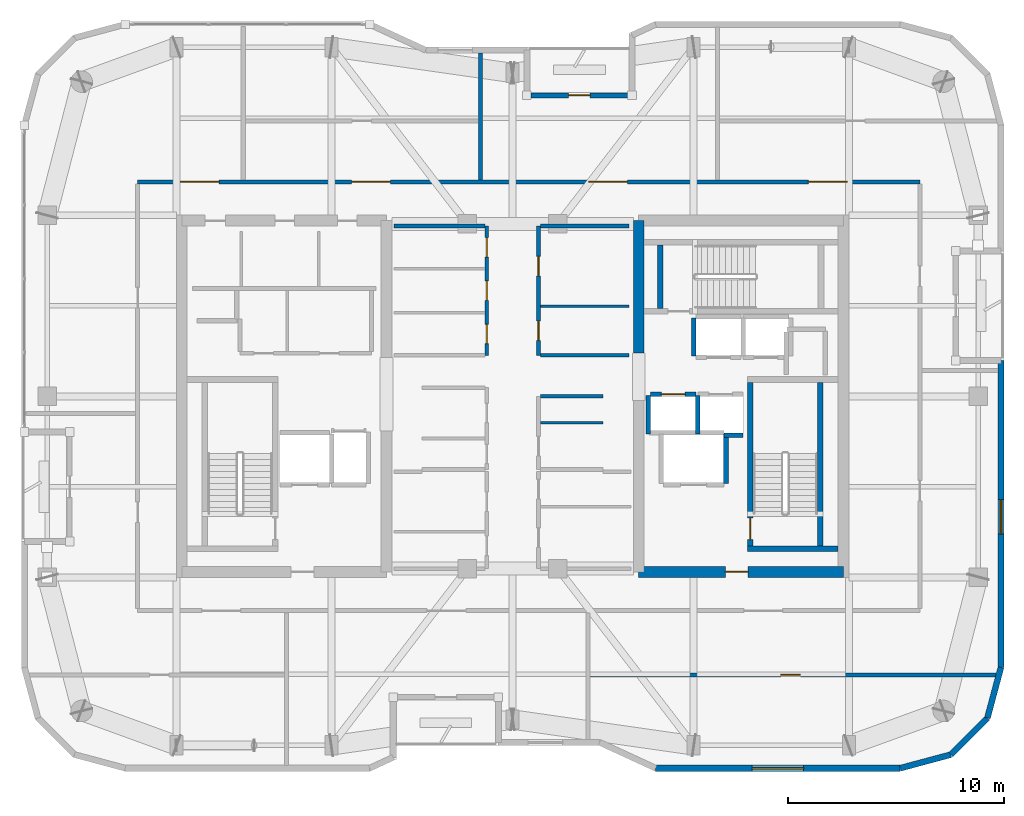
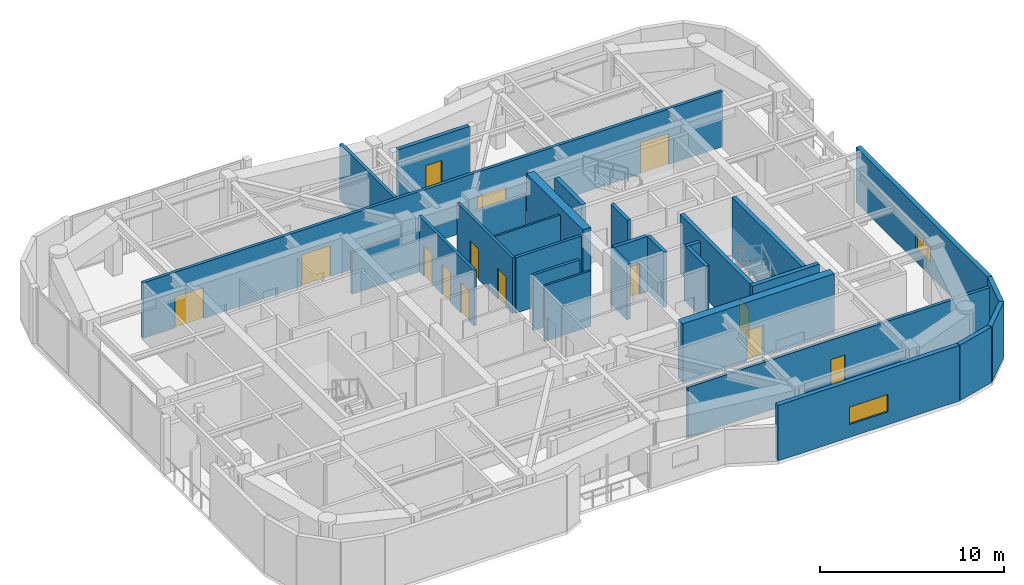
# One storey, part 12 of 16: 29 walls, 14 doors, 2 windows, 16 openings.
"""IFC4 building model written with IfcOpenShell, lengths in metres."""

from ifc_helpers import new_model, si_unit, direction, frame, frame_2d, origin, place, context, subcontext, project, spatial, rectangle, extrude, material, layer, layer_set, type_object, element, fill, save


model = new_model("IFC4")

# Units and contexts
model_context = context("Model", 3, precision=1e-05, world=origin(), true_north=direction((0.0, 1.0)))
body_context = subcontext(model_context, "Body", "Model", "MODEL_VIEW")
ifc_project = project(units=[si_unit("LENGTHUNIT", "METRE"), si_unit("AREAUNIT", "SQUARE_METRE"), si_unit("VOLUMEUNIT", "CUBIC_METRE"), si_unit("PLANEANGLEUNIT", "RADIAN"), si_unit("MASSUNIT", "GRAM", prefix="KILO")], contexts=[model_context])

# Site, building, storey
site_placement = place(None, origin())
site = spatial("IfcSite", under=ifc_project, at=site_placement, CompositionType="ELEMENT")
building_placement = place(site_placement, origin())
building = spatial("IfcBuilding", under=site, at=building_placement, Name="Kiyonajd Concourse Tower", CompositionType="ELEMENT")
storey_placement = place(building_placement, frame((0.0, 0.0, 333.60009765625)))
storey = spatial("IfcBuildingStorey", under=building, at=storey_placement, Name="L84", CompositionType="ELEMENT", Elevation=333.60009765625)

# Wall
ifc_material_1 = material(Name="Concrete C60/75", Category="concrete")
ifc_layer_1 = layer(ifc_material_1, 0.5)
ifc_layer_set_1 = layer_set([ifc_layer_1], Name="Concrete C60/75")
wall_type_1 = type_object("IfcWallType", Name="WL-CORE-500", PredefinedType="SHEAR", material=ifc_layer_set_1)
wall_1_placement = place(storey_placement, frame((53.85009765625, 38.0, 0.0), z_axis=(0.0, 0.0, 1.0), x_axis=(0.0, 1.0, 0.0)))
element("IfcWall", 1, at=wall_1_placement, inside=storey, type_object=wall_type_1, Name="L84 East Core Inner North Shear Wall", PredefinedType="SHEAR", context=body_context, shape_type="SweptSolid", body=[
    extrude(rectangle(XDim=6.14990234375, YDim=0.5, at=frame_2d((3.074951171875, 0.0))), origin(), (0.0, 0.0, 1.0), 3.89990234375),
])

# Wall, opening, door
wall_2_placement = place(storey_placement, frame((53.85009765625, 27.85009765625, 0.0), z_axis=(0.0, 0.0, 1.0), x_axis=(1.0, 0.0, 0.0)))
wall_2 = element("IfcWall", 2, at=wall_2_placement, inside=storey, type_object=wall_type_1, Name="L84 East Core South Shear Wall", PredefinedType="SHEAR", context=body_context, shape_type="SweptSolid", body=[
    extrude(rectangle(XDim=9.5, YDim=0.5, at=frame_2d((4.75, 0.0))), origin(), (0.0, 0.0, 1.0), 3.89990234375),
])
opening_1_placement = place(wall_2_placement, frame((4.02490234375, 0.0, 0.0)))
opening_1 = element("IfcOpeningElement", 3, at=opening_1_placement, cuts=wall_2, Name="Opening DF5", PredefinedType="OPENING", context=body_context, shape_type="SweptSolid", body=[
    extrude(rectangle(XDim=1.050048828125, YDim=2.0400390625, at=frame_2d((0.52490234375, 1.02001953125))), frame((0.0, 0.260009765625, 0.0), z_axis=(0.0, -1.0, 0.0), x_axis=(1.0, 0.0, 0.0)), (0.0, 0.0, 1.0), 0.52001953125),
])
ifc_material_2 = material(Name="Brushed Stainless Steel Cab Assembly", Category="steel")
door_type_1 = type_object("IfcDoorType", Name="DR-FD45-1050", OperationType="NOTDEFINED", PredefinedType="DOOR", material=ifc_material_2)
door_1_placement = place(opening_1_placement, origin())
door_1 = element("IfcDoor", 4, at=door_1_placement, inside=storey, type_object=door_type_1, Name="L84 Firefighting Lift Lobby E Smoke Door", OperationType="SINGLE_SWING_RIGHT", OverallHeight=2.0400390625, OverallWidth=1.050048828125, PredefinedType="DOOR", context=body_context, shape_type="SweptSolid", body=[
    extrude(rectangle(XDim=1.050048828125, YDim=2.0400390625, at=frame_2d((0.52490234375, 1.02001953125))), frame((0.0, 0.02490234375, 0.0), z_axis=(0.0, -1.0, 0.0), x_axis=(1.0, 0.0, 0.0)), (0.0, 0.0, 1.0), 0.050048828125),
])
fill(opening_1, door_1)

# Wall, opening, window
ifc_material_3 = material(Name="Precast concrete C50/60", Category="concrete")
ifc_layer_2 = layer(ifc_material_3, 0.280029296875)
ifc_layer_set_2 = layer_set([ifc_layer_2], Name="Precast concrete C50/60")
wall_type_2 = type_object("IfcWallType", Name="WL-EXT-280", PredefinedType="SOLIDWALL", material=ifc_layer_set_2)
wall_3_placement = place(storey_placement, frame((70.659912109375, 37.659912109375, 0.0), z_axis=(0.0, 0.0, 1.0), x_axis=(0.0, -1.0, 0.0)))
wall_3 = element("IfcWall", 5, at=wall_3_placement, inside=storey, type_object=wall_type_2, Name="L84 Exterior Concrete Frame Wall 24", PredefinedType="SOLIDWALL", context=body_context, shape_type="SweptSolid", body=[
    extrude(rectangle(XDim=14.241455078125, YDim=0.280029296875, at=frame_2d((7.12060546875, 0.0))), origin(), (0.0, 0.0, 1.0), 3.679931640625),
])
opening_2_placement = place(wall_3_placement, frame((6.4560546875, 0.0, 0.85009765625)))
opening_2 = element("IfcOpeningElement", 6, at=opening_2_placement, cuts=wall_3, Name="Opening WN6", PredefinedType="OPENING", context=body_context, shape_type="SweptSolid", body=[
    extrude(rectangle(XDim=1.60009765625, YDim=1.0, at=frame_2d((0.800048828125, 0.5))), frame((0.0, 0.14990234375, 0.0), z_axis=(0.0, -1.0, 0.0), x_axis=(1.0, 0.0, 0.0)), (0.0, 0.0, 1.0), 0.300048828125),
])
ifc_material_4 = material(Name="Double Low-E Insulated Glass", Category="glass")
window_type_1 = type_object("IfcWindowType", Name="WN-VIS-1600x1000", PartitioningType="SINGLE_PANEL", PredefinedType="WINDOW", material=ifc_material_4)
window_1_placement = place(opening_2_placement, origin())
window_1 = element("IfcWindow", 7, at=window_1_placement, inside=storey, type_object=window_type_1, Name="L84 Modular Facade Vision Window 24", OverallHeight=1.0, OverallWidth=1.60009765625, PartitioningType="SINGLE_PANEL", PredefinedType="WINDOW", context=body_context, shape_type="SweptSolid", body=[
    extrude(rectangle(XDim=1.60009765625, YDim=1.0, at=frame_2d((0.800048828125, 0.5))), frame((0.0, 0.030029296875, 0.0), z_axis=(0.0, -1.0, 0.0), x_axis=(1.0, 0.0, 0.0)), (0.0, 0.0, 1.0), 0.06005859375),
])
fill(opening_2, window_1)

# Walls
wall_4_placement = place(storey_placement, frame((70.659912109375, 23.41845703125, 0.0), z_axis=(0.0, 0.0, 1.0), x_axis=(-0.258751159445, -0.965944013639, 0.0)))
element("IfcWall", 8, at=wall_4_placement, inside=storey, type_object=wall_type_2, Name="L84 Exterior Concrete Frame Wall 25", PredefinedType="SOLIDWALL", context=body_context, shape_type="SweptSolid", body=[
    extrude(rectangle(XDim=2.4287109375, YDim=0.280029296875, at=frame_2d((1.21435546875, 0.0))), origin(), (0.0, 0.0, 1.0), 3.679931640625),
])
wall_5_placement = place(storey_placement, frame((70.031494140625, 21.072509765625, 0.0), z_axis=(0.0, 0.0, 1.0), x_axis=(-0.707106781187, -0.707106781187, 0.0)))
element("IfcWall", 9, at=wall_5_placement, inside=storey, type_object=wall_type_2, Name="L84 Exterior Concrete Frame Wall 26", PredefinedType="SOLIDWALL", context=body_context, shape_type="SweptSolid", body=[
    extrude(rectangle(XDim=2.409912109375, YDim=0.280029296875, at=frame_2d((1.205078125, 0.0))), origin(), (0.0, 0.0, 1.0), 3.679931640625),
])
wall_6_placement = place(storey_placement, frame((68.327392578125, 19.368408203125, 0.0), z_axis=(0.0, 0.0, 1.0), x_axis=(-0.965937282298, -0.25877628691, 0.0)))
element("IfcWall", 10, at=wall_6_placement, inside=storey, type_object=wall_type_2, Name="L84 Exterior Concrete Frame Wall 27", PredefinedType="SOLIDWALL", context=body_context, shape_type="SweptSolid", body=[
    extrude(rectangle(XDim=2.428466796875, YDim=0.280029296875, at=frame_2d((1.21435546875, 0.0))), origin(), (0.0, 0.0, 1.0), 3.679931640625),
])

# Wall, opening, window
wall_7_placement = place(storey_placement, frame((65.981689453125, 18.739990234375, 0.0), z_axis=(0.0, 0.0, 1.0), x_axis=(-1.0, 0.0, 0.0)))
wall_7 = element("IfcWall", 11, at=wall_7_placement, inside=storey, type_object=wall_type_2, Name="L84 Exterior Concrete Frame Wall 28", PredefinedType="SOLIDWALL", context=body_context, shape_type="SweptSolid", body=[
    extrude(rectangle(XDim=11.35107421875, YDim=0.280029296875, at=frame_2d((5.675537109375, 0.0))), origin(), (0.0, 0.0, 1.0), 3.679931640625),
])
opening_3_placement = place(wall_7_placement, frame((4.47509765625, 0.0, 0.85009765625)))
opening_3 = element("IfcOpeningElement", 12, at=opening_3_placement, cuts=wall_7, Name="Opening WN4", PredefinedType="OPENING", context=body_context, shape_type="SweptSolid", body=[
    extrude(rectangle(XDim=2.39990234375, YDim=1.14990234375, at=frame_2d((1.199951171875, 0.574951171875))), frame((0.0, 0.14990234375, 0.0), z_axis=(0.0, -1.0, 0.0), x_axis=(1.0, 0.0, 0.0)), (0.0, 0.0, 1.0), 0.300048828125),
])
window_type_2 = type_object("IfcWindowType", Name="WN-VIS-2400x1150", PartitioningType="SINGLE_PANEL", PredefinedType="WINDOW", material=ifc_material_4)
window_2_placement = place(opening_3_placement, origin())
window_2 = element("IfcWindow", 13, at=window_2_placement, inside=storey, type_object=window_type_2, Name="L84 Modular Facade Vision Window 28", OverallHeight=1.14990234375, OverallWidth=2.39990234375, PartitioningType="SINGLE_PANEL", PredefinedType="WINDOW", context=body_context, shape_type="SweptSolid", body=[
    extrude(rectangle(XDim=2.39990234375, YDim=1.14990234375, at=frame_2d((1.199951171875, 0.574951171875))), frame((0.0, 0.030029296875, 0.0), z_axis=(0.0, -1.0, 0.0), x_axis=(1.0, 0.0, 0.0)), (0.0, 0.0, 1.0), 0.06005859375),
])
fill(opening_3, window_2)

# Wall, opening, door
ifc_layer_3 = layer(ifc_material_3, 0.239990234375)
ifc_layer_set_3 = layer_set([ifc_layer_3], Name="Precast concrete C50/60")
wall_type_3 = type_object("IfcWallType", Name="WL-LOG-240", PredefinedType="SOLIDWALL", material=ifc_layer_set_3)
wall_8_placement = place(storey_placement, frame((48.85498046875, 49.9599609375, 0.0), z_axis=(0.0, 0.0, 1.0), x_axis=(1.0, 0.0, 0.0)))
wall_8 = element("IfcWall", 14, at=wall_8_placement, inside=storey, type_object=wall_type_3, Name="L84 Recessed Loggia Thermal Wall LOG-N", PredefinedType="SOLIDWALL", context=body_context, shape_type="SweptSolid", body=[
    extrude(rectangle(XDim=4.489990234375, YDim=0.239990234375, at=frame_2d((2.2451171875, 0.0))), origin(), (0.0, 0.0, 1.0), 3.679931640625),
])
opening_4_placement = place(wall_8_placement, frame((1.7451171875, 0.0, 0.0)))
opening_4 = element("IfcOpeningElement", 15, at=opening_4_placement, cuts=wall_8, Name="Opening DL1", PredefinedType="OPENING", context=body_context, shape_type="SweptSolid", body=[
    extrude(rectangle(XDim=1.0, YDim=2.02001953125, at=frame_2d((0.5, 1.010009765625))), frame((0.0, 0.1298828125, 0.0), z_axis=(0.0, -1.0, 0.0), x_axis=(1.0, 0.0, 0.0)), (0.0, 0.0, 1.0), 0.260009765625),
])
ifc_material_5 = material(Name="Thermally Broken Anodised Aluminium", Category="aluminium")
door_type_2 = type_object("IfcDoorType", Name="DR-LOG-1000", OperationType="NOTDEFINED", PredefinedType="DOOR", material=ifc_material_5)
door_2_placement = place(opening_4_placement, origin())
door_2 = element("IfcDoor", 16, at=door_2_placement, inside=storey, type_object=door_type_2, Name="L84 Engawa Loggia Access Door LOG-N", OperationType="SINGLE_SWING_RIGHT", OverallHeight=2.02001953125, OverallWidth=1.0, PredefinedType="DOOR", context=body_context, shape_type="SweptSolid", body=[
    extrude(rectangle(XDim=1.0, YDim=2.02001953125, at=frame_2d((0.5, 1.010009765625))), frame((0.0, 0.02490234375, 0.0), z_axis=(0.0, -1.0, 0.0), x_axis=(1.0, 0.0, 0.0)), (0.0, 0.0, 1.0), 0.050048828125),
])
fill(opening_4, door_2)

# Walls
ifc_material_6 = material(Name="Gypsum Board on Cold-Formed Steel Stud", Category="steel")
ifc_layer_4 = layer(ifc_material_6, 0.125)
ifc_layer_set_4 = layer_set([ifc_layer_4], Name="Gypsum Board on Cold-Formed Steel Stud")
wall_type_4 = type_object("IfcWallType", Name="WL-PART-125", PredefinedType="PARTITIONING", material=ifc_layer_set_4)
wall_9_placement = place(storey_placement, frame((49.287109375, 34.77587890625, 0.0), z_axis=(0.0, 0.0, 1.0), x_axis=(1.0, 0.0, 0.0)))
element("IfcWall", 17, at=wall_9_placement, inside=storey, type_object=wall_type_4, Name="L84 Interior Partition Wall", PredefinedType="PARTITIONING", context=body_context, shape_type="SweptSolid", body=[
    extrude(rectangle(XDim=2.912841796875, YDim=0.125, at=frame_2d((1.45654296875, 0.0))), origin(), (0.0, 0.0, 1.0), 3.679931640625),
])
wall_10_placement = place(storey_placement, frame((49.287109375, 40.179931640625, 0.0), z_axis=(0.0, 0.0, 1.0), x_axis=(1.0, 0.0, 0.0)))
element("IfcWall", 18, at=wall_10_placement, inside=storey, type_object=wall_type_4, Name="L84 Interior Partition Wall", PredefinedType="PARTITIONING", context=body_context, shape_type="SweptSolid", body=[
    extrude(rectangle(XDim=4.11279296875, YDim=0.125, at=frame_2d((2.056396484375, 0.0))), origin(), (0.0, 0.0, 1.0), 3.679931640625),
])

# Wall, openings, doors
ifc_layer_5 = layer(ifc_material_6, 0.18994140625)
ifc_layer_set_5 = layer_set([ifc_layer_5], Name="Gypsum Board on Cold-Formed Steel Stud")
wall_type_5 = type_object("IfcWallType", Name="WL-PLMB-190", PredefinedType="PLUMBINGWALL", material=ifc_layer_set_5)
wall_11_placement = place(storey_placement, frame((30.60009765625, 45.949951171875, 0.0), z_axis=(0.0, 0.0, 1.0), x_axis=(1.0, 0.0, 0.0)))
wall_11 = element("IfcWall", 19, at=wall_11_placement, inside=storey, type_object=wall_type_5, Name="L84 Interior Partition Wall", PredefinedType="PLUMBINGWALL", context=body_context, shape_type="SweptSolid", body=[
    extrude(rectangle(XDim=36.2998046875, YDim=0.18994140625, at=frame_2d((18.14990234375, 0.0))), origin(), (0.0, 0.0, 1.0), 3.679931640625),
])
opening_5_placement = place(wall_11_placement, frame((1.97509765625, 0.0, 0.0)))
opening_5 = element("IfcOpeningElement", 20, at=opening_5_placement, cuts=wall_11, Name="Opening DI3", PredefinedType="OPENING", context=body_context, shape_type="SweptSolid", body=[
    extrude(rectangle(XDim=1.800048828125, YDim=2.06005859375, at=frame_2d((0.89990234375, 1.030029296875))), frame((0.0, 0.10498046875, 0.0), z_axis=(0.0, -1.0, 0.0), x_axis=(1.0, 0.0, 0.0)), (0.0, 0.0, 1.0), 0.2099609375),
])
opening_6_placement = place(wall_11_placement, frame((9.925048828125, 0.0, 0.0)))
opening_6 = element("IfcOpeningElement", 21, at=opening_6_placement, cuts=wall_11, Name="Opening DI3", PredefinedType="OPENING", context=body_context, shape_type="SweptSolid", body=[
    extrude(rectangle(XDim=1.800048828125, YDim=2.06005859375, at=frame_2d((0.89990234375, 1.030029296875))), frame((0.0, 0.10498046875, 0.0), z_axis=(0.0, -1.0, 0.0), x_axis=(1.0, 0.0, 0.0)), (0.0, 0.0, 1.0), 0.2099609375),
])
opening_7_placement = place(wall_11_placement, frame((20.925048828125, 0.0, 0.0)))
opening_7 = element("IfcOpeningElement", 22, at=opening_7_placement, cuts=wall_11, Name="Opening DI3", PredefinedType="OPENING", context=body_context, shape_type="SweptSolid", body=[
    extrude(rectangle(XDim=1.800048828125, YDim=2.06005859375, at=frame_2d((0.89990234375, 1.030029296875))), frame((0.0, 0.10498046875, 0.0), z_axis=(0.0, -1.0, 0.0), x_axis=(1.0, 0.0, 0.0)), (0.0, 0.0, 1.0), 0.2099609375),
])
opening_8_placement = place(wall_11_placement, frame((31.125, 0.0, 0.0)))
opening_8 = element("IfcOpeningElement", 23, at=opening_8_placement, cuts=wall_11, Name="Opening DI3", PredefinedType="OPENING", context=body_context, shape_type="SweptSolid", body=[
    extrude(rectangle(XDim=1.800048828125, YDim=2.06005859375, at=frame_2d((0.89990234375, 1.030029296875))), frame((0.0, 0.10498046875, 0.0), z_axis=(0.0, -1.0, 0.0), x_axis=(1.0, 0.0, 0.0)), (0.0, 0.0, 1.0), 0.2099609375),
])
door_type_3 = type_object("IfcDoorType", Name="DR-PAIR-1800", OperationType="DOUBLE_DOOR_SINGLE_SWING", PredefinedType="DOOR", material=ifc_material_2)
door_3_placement = place(opening_5_placement, origin())
door_3 = element("IfcDoor", 24, at=door_3_placement, inside=storey, type_object=door_type_3, Name="L84 Interior Door", OperationType="DOUBLE_DOOR_SINGLE_SWING", OverallHeight=2.06005859375, OverallWidth=1.800048828125, PredefinedType="DOOR", context=body_context, shape_type="SweptSolid", body=[
    extrude(rectangle(XDim=1.800048828125, YDim=2.06005859375, at=frame_2d((0.89990234375, 1.030029296875))), frame((0.0, 0.02490234375, 0.0), z_axis=(0.0, -1.0, 0.0), x_axis=(1.0, 0.0, 0.0)), (0.0, 0.0, 1.0), 0.050048828125),
])
fill(opening_5, door_3)
door_4_placement = place(opening_6_placement, origin())
door_4 = element("IfcDoor", 25, at=door_4_placement, inside=storey, type_object=door_type_3, Name="L84 Interior Door", OperationType="DOUBLE_DOOR_SINGLE_SWING", OverallHeight=2.06005859375, OverallWidth=1.800048828125, PredefinedType="DOOR", context=body_context, shape_type="SweptSolid", body=[
    extrude(rectangle(XDim=1.800048828125, YDim=2.06005859375, at=frame_2d((0.89990234375, 1.030029296875))), frame((0.0, 0.02490234375, 0.0), z_axis=(0.0, -1.0, 0.0), x_axis=(1.0, 0.0, 0.0)), (0.0, 0.0, 1.0), 0.050048828125),
])
fill(opening_6, door_4)
door_5_placement = place(opening_7_placement, origin())
door_5 = element("IfcDoor", 26, at=door_5_placement, inside=storey, type_object=door_type_3, Name="L84 Interior Door", OperationType="DOUBLE_DOOR_SINGLE_SWING", OverallHeight=2.06005859375, OverallWidth=1.800048828125, PredefinedType="DOOR", context=body_context, shape_type="SweptSolid", body=[
    extrude(rectangle(XDim=1.800048828125, YDim=2.06005859375, at=frame_2d((0.89990234375, 1.030029296875))), frame((0.0, 0.02490234375, 0.0), z_axis=(0.0, -1.0, 0.0), x_axis=(1.0, 0.0, 0.0)), (0.0, 0.0, 1.0), 0.050048828125),
])
fill(opening_7, door_5)
door_6_placement = place(opening_8_placement, origin())
door_6 = element("IfcDoor", 27, at=door_6_placement, inside=storey, type_object=door_type_3, Name="L84 Interior Door", OperationType="DOUBLE_DOOR_SINGLE_SWING", OverallHeight=2.06005859375, OverallWidth=1.800048828125, PredefinedType="DOOR", context=body_context, shape_type="SweptSolid", body=[
    extrude(rectangle(XDim=1.800048828125, YDim=2.06005859375, at=frame_2d((0.89990234375, 1.030029296875))), frame((0.0, 0.02490234375, 0.0), z_axis=(0.0, -1.0, 0.0), x_axis=(1.0, 0.0, 0.0)), (0.0, 0.0, 1.0), 0.050048828125),
])
fill(opening_8, door_6)

# Wall, opening, door
wall_12_placement = place(storey_placement, frame((51.5, 23.070068359375, 0.0), z_axis=(0.0, 0.0, 1.0), x_axis=(1.0, 0.0, 0.0)))
wall_12 = element("IfcWall", 28, at=wall_12_placement, inside=storey, type_object=wall_type_5, Name="L84 Interior Partition Wall", PredefinedType="PLUMBINGWALL", context=body_context, shape_type="SweptSolid", body=[
    extrude(rectangle(XDim=18.925048828125, YDim=0.18994140625, at=frame_2d((9.46240234375, 0.0))), origin(), (0.0, 0.0, 1.0), 3.310791015625),
])
opening_9_placement = place(wall_12_placement, frame((8.949951171875, 0.0, 0.0)))
opening_9 = element("IfcOpeningElement", 29, at=opening_9_placement, cuts=wall_12, Name="Opening DI2", PredefinedType="OPENING", context=body_context, shape_type="SweptSolid", body=[
    extrude(rectangle(XDim=0.89990234375, YDim=2.02001953125, at=frame_2d((0.449951171875, 1.010009765625))), frame((0.0, 0.10498046875, 0.0), z_axis=(0.0, -1.0, 0.0), x_axis=(1.0, 0.0, 0.0)), (0.0, 0.0, 1.0), 0.2099609375),
])
ifc_material_7 = material(Name="Natural Oak Acoustic Timber Veneer", Category="wood")
door_type_4 = type_object("IfcDoorType", Name="DR-INT-900", OperationType="NOTDEFINED", PredefinedType="DOOR", material=ifc_material_7)
door_7_placement = place(opening_9_placement, origin())
door_7 = element("IfcDoor", 30, at=door_7_placement, inside=storey, type_object=door_type_4, Name="L84 Interior Door", OperationType="SINGLE_SWING_RIGHT", OverallHeight=2.02001953125, OverallWidth=0.89990234375, PredefinedType="DOOR", context=body_context, shape_type="SweptSolid", body=[
    extrude(rectangle(XDim=0.89990234375, YDim=2.02001953125, at=frame_2d((0.449951171875, 1.010009765625))), frame((0.0, 0.02490234375, 0.0), z_axis=(0.0, -1.0, 0.0), x_axis=(1.0, 0.0, 0.0)), (0.0, 0.0, 1.0), 0.050048828125),
])
fill(opening_9, door_7)

# Walls
wall_13_placement = place(storey_placement, frame((46.5, 46.047119140625, 0.0), z_axis=(0.0, 0.0, 1.0), x_axis=(0.0, 1.0, 0.0)))
element("IfcWall", 31, at=wall_13_placement, inside=storey, type_object=wall_type_5, Name="L84 Interior Partition Wall", PredefinedType="PLUMBINGWALL", context=body_context, shape_type="SweptSolid", body=[
    extrude(rectangle(XDim=5.8779296875, YDim=0.18994140625, at=frame_2d((2.93896484375, 0.0))), origin(), (0.0, 0.0, 1.0), 3.679931640625),
])
ifc_layer_6 = layer(ifc_material_6, 0.2099609375)
ifc_layer_set_6 = layer_set([ifc_layer_6], Name="Gypsum Board on Cold-Formed Steel Stud")
wall_type_6 = type_object("IfcWallType", Name="WL-SHAFT-210", PredefinedType="PARTITIONING", material=ifc_layer_set_6)
wall_14_placement = place(storey_placement, frame((57.89990234375, 31.9599609375, 0.0), z_axis=(0.0, 0.0, 1.0), x_axis=(0.0, 1.0, 0.0)))
element("IfcWall", 32, at=wall_14_placement, inside=storey, type_object=wall_type_6, Name="L84 Shaft Enclosure Wall", PredefinedType="PARTITIONING", context=body_context, shape_type="SweptSolid", body=[
    extrude(rectangle(XDim=2.280029296875, YDim=0.2099609375, at=frame_2d((1.14013671875, 0.0))), origin(), (0.0, 0.0, 1.0), 3.679931640625),
])

# Wall, opening, door
wall_15_placement = place(storey_placement, frame((54.39990234375, 36.10009765625, 0.0), z_axis=(0.0, 0.0, 1.0), x_axis=(1.0, 0.0, 0.0)))
wall_15 = element("IfcWall", 33, at=wall_15_placement, inside=storey, type_object=wall_type_6, Name="L84 Shaft Enclosure Wall", PredefinedType="PARTITIONING", context=body_context, shape_type="SweptSolid", body=[
    extrude(rectangle(XDim=2.10009765625, YDim=0.2099609375, at=frame_2d((1.050048828125, 0.0))), origin(), (0.0, 0.0, 1.0), 3.679931640625),
])
opening_10_placement = place(wall_15_placement, frame((0.5, 0.0, 0.0)))
opening_10 = element("IfcOpeningElement", 34, at=opening_10_placement, cuts=wall_15, Name="Opening LD1", PredefinedType="OPENING", context=body_context, shape_type="SweptSolid", body=[
    extrude(rectangle(XDim=1.10009765625, YDim=2.0400390625, at=frame_2d((0.550048828125, 1.02001953125))), frame((0.0, 0.114990234375, 0.0), z_axis=(0.0, -1.0, 0.0), x_axis=(1.0, 0.0, 0.0)), (0.0, 0.0, 1.0), 0.22998046875),
])
door_type_5 = type_object("IfcDoorType", Name="DR-LD-1100", OperationType="DOUBLE_DOOR_SLIDING", PredefinedType="DOOR", material=ifc_material_2)
door_8_placement = place(opening_10_placement, origin())
door_8 = element("IfcDoor", 35, at=door_8_placement, inside=storey, type_object=door_type_5, Name="L84 Lift PL-H1 Sliding Landing Door", OperationType="DOUBLE_DOOR_SLIDING", OverallHeight=2.0400390625, OverallWidth=1.10009765625, PredefinedType="DOOR", context=body_context, shape_type="SweptSolid", body=[
    extrude(rectangle(XDim=1.10009765625, YDim=2.0400390625, at=frame_2d((0.550048828125, 1.02001953125))), frame((0.0, 0.02490234375, 0.0), z_axis=(0.0, -1.0, 0.0), x_axis=(1.0, 0.0, 0.0)), (0.0, 0.0, 1.0), 0.050048828125),
])
fill(opening_10, door_8)

# Walls
for number, where, z_axis, x_axis, name in (
    (36, (54.300048828125, 34.260009765625, 0.0), (0.0, 0.0, 1.0), (0.0, 1.0, 0.0), "L84 Shaft Enclosure Wall"),
    (37, (56.60009765625, 34.260009765625, 0.0), (0.0, 0.0, 1.0), (0.0, 1.0, 0.0), "L84 Shaft Enclosure Wall"),
):
    element("IfcWall", number, at=place(storey_placement, frame(where, z_axis=z_axis, x_axis=x_axis)), inside=storey, type_object=wall_type_6, Name=name, PredefinedType="PARTITIONING", context=body_context, shape_type="SweptSolid", body=[
        extrude(rectangle(XDim=1.780029296875, YDim=0.2099609375, at=frame_2d((0.89013671875, 0.0))), origin(), (0.0, 0.0, 1.0), 3.679931640625),
    ])
wall_16_placement = place(storey_placement, frame((57.800048828125, 34.199951171875, 0.0), z_axis=(0.0, 0.0, 1.0), x_axis=(1.0, 0.0, 0.0)))
element("IfcWall", 38, at=wall_16_placement, inside=storey, type_object=wall_type_6, Name="L84 Shaft Enclosure Wall", PredefinedType="PARTITIONING", context=body_context, shape_type="SweptSolid", body=[
    extrude(rectangle(XDim=0.89990234375, YDim=0.2099609375, at=frame_2d((0.449951171875, 0.0))), origin(), (0.0, 0.0, 1.0), 3.679931640625),
])
wall_17_placement = place(storey_placement, frame((56.39990234375, 37.860107421875, 0.0), z_axis=(0.0, 0.0, 1.0), x_axis=(0.0, 1.0, 0.0)))
element("IfcWall", 39, at=wall_17_placement, inside=storey, type_object=wall_type_6, Name="L84 Shaft Enclosure Wall", PredefinedType="PARTITIONING", context=body_context, shape_type="SweptSolid", body=[
    extrude(rectangle(XDim=1.77978515625, YDim=0.2099609375, at=frame_2d((0.889892578125, 0.0))), origin(), (0.0, 0.0, 1.0), 3.679931640625),
])
ifc_layer_7 = layer(ifc_material_6, 0.169921875)
ifc_layer_set_7 = layer_set([ifc_layer_7], Name="Gypsum Board on Cold-Formed Steel Stud")
wall_type_7 = type_object("IfcWallType", Name="WL-SMK-170", PredefinedType="PARTITIONING", material=ifc_layer_set_7)
wall_18_placement = place(storey_placement, frame((49.287109375, 36.0, 0.0), z_axis=(0.0, 0.0, 1.0), x_axis=(1.0, 0.0, 0.0)))
element("IfcWall", 40, at=wall_18_placement, inside=storey, type_object=wall_type_7, Name="L84 Interior Partition Wall", PredefinedType="PARTITIONING", context=body_context, shape_type="SweptSolid", body=[
    extrude(rectangle(XDim=2.912841796875, YDim=0.169921875, at=frame_2d((1.45654296875, 0.0))), origin(), (0.0, 0.0, 1.0), 3.679931640625),
])

# Wall, openings, doors
wall_19_placement = place(storey_placement, frame((46.800048828125, 37.89990234375, 0.0), z_axis=(0.0, 0.0, 1.0), x_axis=(0.0, 1.0, 0.0)))
wall_19 = element("IfcWall", 41, at=wall_19_placement, inside=storey, type_object=wall_type_7, Name="L84 Interior Partition Wall", PredefinedType="PARTITIONING", context=body_context, shape_type="SweptSolid", body=[
    extrude(rectangle(XDim=6.0, YDim=0.169921875, at=frame_2d((3.0, 0.0))), origin(), (0.0, 0.0, 1.0), 3.679931640625),
])
opening_11_placement = place(wall_19_placement, frame((0.5400390625, 0.0, 0.0)))
opening_11 = element("IfcOpeningElement", 42, at=opening_11_placement, cuts=wall_19, Name="Opening DI2", PredefinedType="OPENING", context=body_context, shape_type="SweptSolid", body=[
    extrude(rectangle(XDim=0.89990234375, YDim=2.02001953125, at=frame_2d((0.449951171875, 1.010009765625))), frame((0.0, 0.094970703125, 0.0), z_axis=(0.0, -1.0, 0.0), x_axis=(1.0, 0.0, 0.0)), (0.0, 0.0, 1.0), 0.18994140625),
])
opening_12_placement = place(wall_19_placement, frame((2.550048828125, 0.0, 0.0)))
opening_12 = element("IfcOpeningElement", 43, at=opening_12_placement, cuts=wall_19, Name="Opening DI2", PredefinedType="OPENING", context=body_context, shape_type="SweptSolid", body=[
    extrude(rectangle(XDim=0.89990234375, YDim=2.02001953125, at=frame_2d((0.449951171875, 1.010009765625))), frame((0.0, 0.094970703125, 0.0), z_axis=(0.0, -1.0, 0.0), x_axis=(1.0, 0.0, 0.0)), (0.0, 0.0, 1.0), 0.18994140625),
])
opening_13_placement = place(wall_19_placement, frame((4.56005859375, 0.0, 0.0)))
opening_13 = element("IfcOpeningElement", 44, at=opening_13_placement, cuts=wall_19, Name="Opening DI2", PredefinedType="OPENING", context=body_context, shape_type="SweptSolid", body=[
    extrude(rectangle(XDim=0.89990234375, YDim=2.02001953125, at=frame_2d((0.449951171875, 1.010009765625))), frame((0.0, 0.094970703125, 0.0), z_axis=(0.0, -1.0, 0.0), x_axis=(1.0, 0.0, 0.0)), (0.0, 0.0, 1.0), 0.18994140625),
])
door_9_placement = place(opening_11_placement, origin())
door_9 = element("IfcDoor", 45, at=door_9_placement, inside=storey, type_object=door_type_4, Name="L84 Interior Door", OperationType="SINGLE_SWING_RIGHT", OverallHeight=2.02001953125, OverallWidth=0.89990234375, PredefinedType="DOOR", context=body_context, shape_type="SweptSolid", body=[
    extrude(rectangle(XDim=0.89990234375, YDim=2.02001953125, at=frame_2d((0.449951171875, 1.010009765625))), frame((0.0, 0.02490234375, 0.0), z_axis=(0.0, -1.0, 0.0), x_axis=(1.0, 0.0, 0.0)), (0.0, 0.0, 1.0), 0.050048828125),
])
fill(opening_11, door_9)
door_10_placement = place(opening_12_placement, origin())
door_10 = element("IfcDoor", 46, at=door_10_placement, inside=storey, type_object=door_type_4, Name="L84 Interior Door", OperationType="SINGLE_SWING_LEFT", OverallHeight=2.02001953125, OverallWidth=0.89990234375, PredefinedType="DOOR", context=body_context, shape_type="SweptSolid", body=[
    extrude(rectangle(XDim=0.89990234375, YDim=2.02001953125, at=frame_2d((0.449951171875, 1.010009765625))), frame((0.0, 0.02490234375, 0.0), z_axis=(0.0, -1.0, 0.0), x_axis=(1.0, 0.0, 0.0)), (0.0, 0.0, 1.0), 0.050048828125),
])
fill(opening_12, door_10)
door_11_placement = place(opening_13_placement, origin())
door_11 = element("IfcDoor", 47, at=door_11_placement, inside=storey, type_object=door_type_4, Name="L84 Interior Door", OperationType="SINGLE_SWING_RIGHT", OverallHeight=2.02001953125, OverallWidth=0.89990234375, PredefinedType="DOOR", context=body_context, shape_type="SweptSolid", body=[
    extrude(rectangle(XDim=0.89990234375, YDim=2.02001953125, at=frame_2d((0.449951171875, 1.010009765625))), frame((0.0, 0.02490234375, 0.0), z_axis=(0.0, -1.0, 0.0), x_axis=(1.0, 0.0, 0.0)), (0.0, 0.0, 1.0), 0.050048828125),
])
fill(opening_13, door_11)

# Wall
wall_20_placement = place(storey_placement, frame((42.5, 43.89990234375, 0.0), z_axis=(0.0, 0.0, 1.0), x_axis=(1.0, 0.0, 0.0)))
element("IfcWall", 48, at=wall_20_placement, inside=storey, type_object=wall_type_7, Name="L84 Interior Partition Wall", PredefinedType="PARTITIONING", context=body_context, shape_type="SweptSolid", body=[
    extrude(rectangle(XDim=4.212890625, YDim=0.169921875, at=frame_2d((2.1064453125, 0.0))), origin(), (0.0, 0.0, 1.0), 2.764892578125),
])

# Wall, openings, doors
wall_21_placement = place(storey_placement, frame((49.199951171875, 37.89990234375, 0.0), z_axis=(0.0, 0.0, 1.0), x_axis=(0.0, 1.0, 0.0)))
wall_21 = element("IfcWall", 49, at=wall_21_placement, inside=storey, type_object=wall_type_7, Name="L84 Interior Partition Wall", PredefinedType="PARTITIONING", context=body_context, shape_type="SweptSolid", body=[
    extrude(rectangle(XDim=6.0, YDim=0.169921875, at=frame_2d((3.0, 0.0))), origin(), (0.0, 0.0, 1.0), 3.679931640625),
])
opening_14_placement = place(wall_21_placement, frame((0.68994140625, 0.0, 0.0)))
opening_14 = element("IfcOpeningElement", 50, at=opening_14_placement, cuts=wall_21, Name="Opening DI2", PredefinedType="OPENING", context=body_context, shape_type="SweptSolid", body=[
    extrude(rectangle(XDim=0.89990234375, YDim=2.02001953125, at=frame_2d((0.449951171875, 1.010009765625))), frame((0.0, 0.094970703125, 0.0), z_axis=(0.0, -1.0, 0.0), x_axis=(1.0, 0.0, 0.0)), (0.0, 0.0, 1.0), 0.18994140625),
])
opening_15_placement = place(wall_21_placement, frame((3.68994140625, 0.0, 0.0)))
opening_15 = element("IfcOpeningElement", 51, at=opening_15_placement, cuts=wall_21, Name="Opening DI2", PredefinedType="OPENING", context=body_context, shape_type="SweptSolid", body=[
    extrude(rectangle(XDim=0.89990234375, YDim=2.02001953125, at=frame_2d((0.449951171875, 1.010009765625))), frame((0.0, 0.094970703125, 0.0), z_axis=(0.0, -1.0, 0.0), x_axis=(1.0, 0.0, 0.0)), (0.0, 0.0, 1.0), 0.18994140625),
])
door_12_placement = place(opening_14_placement, origin())
door_12 = element("IfcDoor", 52, at=door_12_placement, inside=storey, type_object=door_type_4, Name="L84 Interior Door", OperationType="SINGLE_SWING_LEFT", OverallHeight=2.02001953125, OverallWidth=0.89990234375, PredefinedType="DOOR", context=body_context, shape_type="SweptSolid", body=[
    extrude(rectangle(XDim=0.89990234375, YDim=2.02001953125, at=frame_2d((0.449951171875, 1.010009765625))), frame((0.0, 0.02490234375, 0.0), z_axis=(0.0, -1.0, 0.0), x_axis=(1.0, 0.0, 0.0)), (0.0, 0.0, 1.0), 0.050048828125),
])
fill(opening_14, door_12)
door_13_placement = place(opening_15_placement, origin())
door_13 = element("IfcDoor", 53, at=door_13_placement, inside=storey, type_object=door_type_4, Name="L84 Interior Door", OperationType="SINGLE_SWING_RIGHT", OverallHeight=2.02001953125, OverallWidth=0.89990234375, PredefinedType="DOOR", context=body_context, shape_type="SweptSolid", body=[
    extrude(rectangle(XDim=0.89990234375, YDim=2.02001953125, at=frame_2d((0.449951171875, 1.010009765625))), frame((0.0, 0.02490234375, 0.0), z_axis=(0.0, -1.0, 0.0), x_axis=(1.0, 0.0, 0.0)), (0.0, 0.0, 1.0), 0.050048828125),
])
fill(opening_15, door_13)

# Walls
wall_22_placement = place(storey_placement, frame((49.287109375, 37.89990234375, 0.0), z_axis=(0.0, 0.0, 1.0), x_axis=(1.0, 0.0, 0.0)))
element("IfcWall", 54, at=wall_22_placement, inside=storey, type_object=wall_type_7, Name="L84 Interior Partition Wall", PredefinedType="PARTITIONING", context=body_context, shape_type="SweptSolid", body=[
    extrude(rectangle(XDim=4.11279296875, YDim=0.169921875, at=frame_2d((2.056396484375, 0.0))), origin(), (0.0, 0.0, 1.0), 3.679931640625),
])
wall_23_placement = place(storey_placement, frame((49.287109375, 43.89990234375, 0.0), z_axis=(0.0, 0.0, 1.0), x_axis=(1.0, 0.0, 0.0)))
element("IfcWall", 55, at=wall_23_placement, inside=storey, type_object=wall_type_7, Name="L84 Interior Partition Wall", PredefinedType="PARTITIONING", context=body_context, shape_type="SweptSolid", body=[
    extrude(rectangle(XDim=4.11279296875, YDim=0.169921875, at=frame_2d((2.056396484375, 0.0))), origin(), (0.0, 0.0, 1.0), 2.764892578125),
])
ifc_material_8 = material(Name="Concrete C50/60", Category="concrete")
ifc_layer_8 = layer(ifc_material_8, 0.260009765625)
ifc_layer_set_8 = layer_set([ifc_layer_8], Name="Concrete C50/60")
wall_type_8 = type_object("IfcWallType", Name="WL-STAIR-260", PredefinedType="SHEAR", material=ifc_layer_set_8)
wall_24_placement = place(storey_placement, frame((58.889892578125, 28.919921875, 0.0), z_axis=(0.0, 0.0, 1.0), x_axis=(1.0, 0.0, 0.0)))
element("IfcWall", 56, at=wall_24_placement, inside=storey, type_object=wall_type_8, Name="L84 Stair ST2 Structural South Wall", PredefinedType="SHEAR", context=body_context, shape_type="SweptSolid", body=[
    extrude(rectangle(XDim=4.210205078125, YDim=0.260009765625, at=frame_2d((2.10498046875, 0.0))), origin(), (0.0, 0.0, 1.0), 3.89990234375),
])

# Wall, opening, door
wall_25_placement = place(storey_placement, frame((59.02001953125, 29.050048828125, 0.0), z_axis=(0.0, 0.0, 1.0), x_axis=(0.0, 1.0, 0.0)))
wall_25 = element("IfcWall", 57, at=wall_25_placement, inside=storey, type_object=wall_type_8, Name="L84 Stair ST2 Structural West Wall", PredefinedType="SHEAR", context=body_context, shape_type="SweptSolid", body=[
    extrude(rectangle(XDim=7.599853515625, YDim=0.260009765625, at=frame_2d((3.7998046875, 0.0))), origin(), (0.0, 0.0, 1.0), 3.89990234375),
])
opening_16_placement = place(wall_25_placement, frame((0.300048828125, 0.0, 0.0)))
opening_16 = element("IfcOpeningElement", 58, at=opening_16_placement, cuts=wall_25, Name="Opening DF1", PredefinedType="OPENING", context=body_context, shape_type="SweptSolid", body=[
    extrude(rectangle(XDim=1.0, YDim=2.0400390625, at=frame_2d((0.5, 1.02001953125))), frame((0.0, 0.139892578125, 0.0), z_axis=(0.0, -1.0, 0.0), x_axis=(1.0, 0.0, 0.0)), (0.0, 0.0, 1.0), 0.280029296875),
])
door_type_6 = type_object("IfcDoorType", Name="DR-FD90-1000", OperationType="NOTDEFINED", PredefinedType="DOOR", material=ifc_material_2)
door_14_placement = place(opening_16_placement, origin())
door_14 = element("IfcDoor", 59, at=door_14_placement, inside=storey, type_object=door_type_6, Name="L84 Stair ST2 FSAE Door", OperationType="SINGLE_SWING_RIGHT", OverallHeight=2.0400390625, OverallWidth=1.0, PredefinedType="DOOR", context=body_context, shape_type="SweptSolid", body=[
    extrude(rectangle(XDim=1.0, YDim=2.0400390625, at=frame_2d((0.5, 1.02001953125))), frame((0.0, 0.02490234375, 0.0), z_axis=(0.0, -1.0, 0.0), x_axis=(1.0, 0.0, 0.0)), (0.0, 0.0, 1.0), 0.050048828125),
])
fill(opening_16, door_14)

# Walls
wall_26_placement = place(storey_placement, frame((62.280029296875, 29.050048828125, 0.0), z_axis=(0.0, 0.0, 1.0), x_axis=(0.0, 1.0, 0.0)))
element("IfcWall", 60, at=wall_26_placement, inside=storey, type_object=wall_type_8, Name="L84 Stair ST2 Structural East Wall", PredefinedType="SHEAR", context=body_context, shape_type="SweptSolid", body=[
    extrude(rectangle(XDim=7.599853515625, YDim=0.260009765625, at=frame_2d((3.7998046875, 0.0))), origin(), (0.0, 0.0, 1.0), 3.89990234375),
])
wall_27_placement = place(storey_placement, frame((54.85009765625, 40.080078125, 0.0), z_axis=(0.0, 0.0, 1.0), x_axis=(0.0, 1.0, 0.0)))
element("IfcWall", 61, at=wall_27_placement, inside=storey, type_object=wall_type_8, Name="L84 Stair ST3 Structural West Wall", PredefinedType="SHEAR", context=body_context, shape_type="SweptSolid", body=[
    extrude(rectangle(XDim=2.93994140625, YDim=0.260009765625, at=frame_2d((1.469970703125, 0.0))), origin(), (0.0, 0.0, 1.0), 3.89990234375),
])

save(model, "model.ifc")
